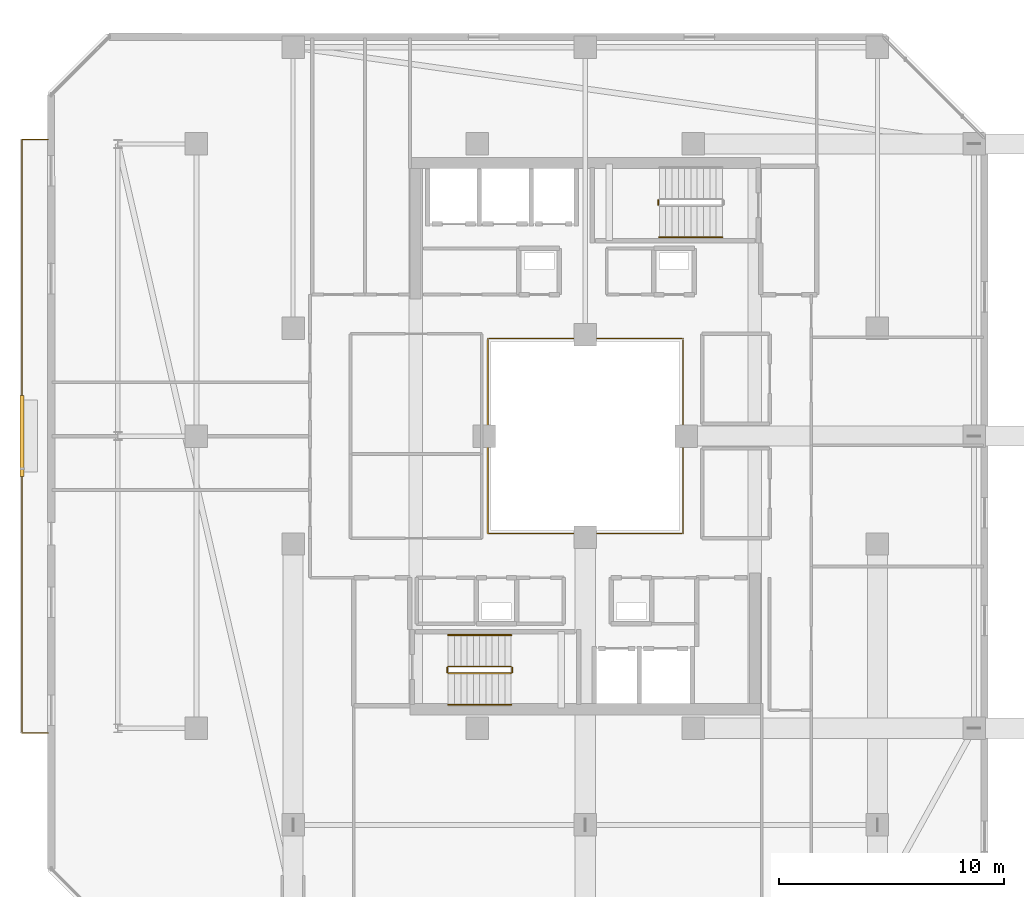
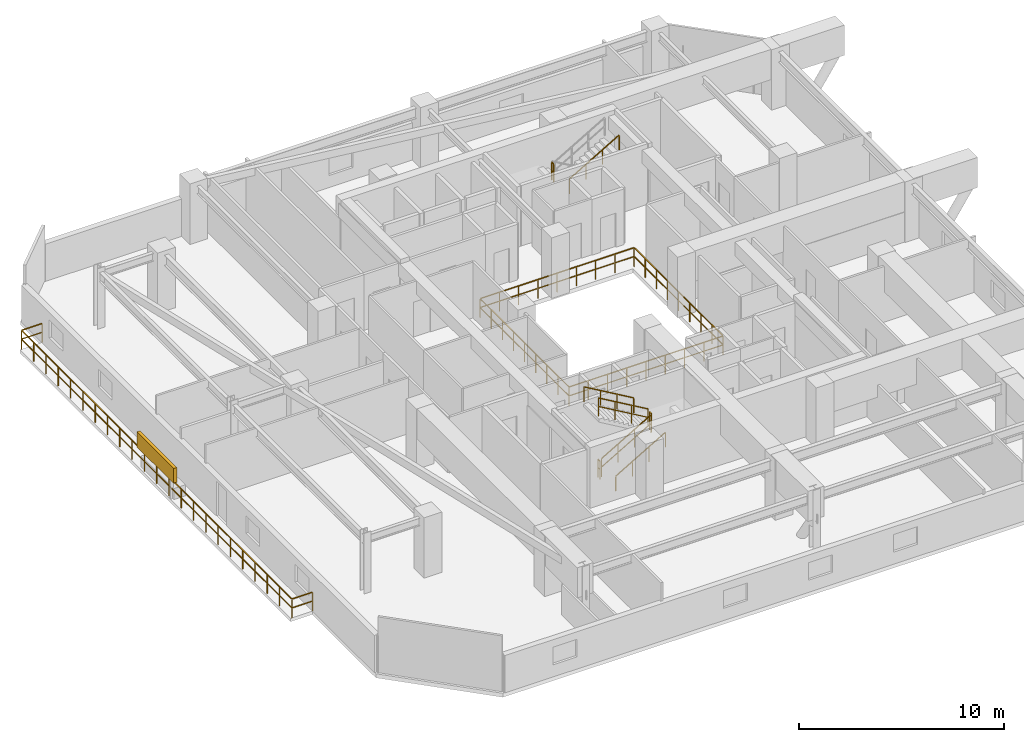
# One storey, part 31 of 34: 10 railings, 1 shading device.
"""IFC4 building model written with IfcOpenShell, lengths in metres."""

from ifc_helpers import new_model, si_unit, direction, frame, origin, origin_2d, place, context, subcontext, project, spatial, rectangle, extrude, material, type_object, element, save


model = new_model("IFC4")

# Units and contexts
model_context = context("Model", 3, precision=1e-05, world=origin(), true_north=direction((0.0, 1.0)))
body_context = subcontext(model_context, "Body", "Model", "MODEL_VIEW")
ifc_project = project(units=[si_unit("LENGTHUNIT", "METRE"), si_unit("AREAUNIT", "SQUARE_METRE"), si_unit("VOLUMEUNIT", "CUBIC_METRE"), si_unit("PLANEANGLEUNIT", "RADIAN"), si_unit("MASSUNIT", "GRAM", prefix="KILO")], contexts=[model_context])

# Site, building, storey
site_placement = place(None, origin())
site = spatial("IfcSite", under=ifc_project, at=site_placement, CompositionType="ELEMENT")
building_placement = place(site_placement, origin())
building = spatial("IfcBuilding", under=site, at=building_placement, Name="Thornwick Lancets Civic Towers", CompositionType="ELEMENT")
storey_placement = place(building_placement, frame((0.0, 0.0, 251.10009765625)))
storey = spatial("IfcBuildingStorey", under=building, at=storey_placement, Name="L67", CompositionType="ELEMENT", Elevation=251.10009765625)

# Railings
ifc_material_1 = material(Name="Laminated glass and bronze steel S355", Category="steel")
railing_type_1 = type_object("IfcRailingType", Name="RAIL_ATRIUM_GUARD", PredefinedType="BALUSTRADE", material=ifc_material_1)
railing_1_placement = place(storey_placement, frame((21.159912109375, 22.659912109375, 0.0)))
element("IfcRailing", 1, at=railing_1_placement, inside=storey, type_object=railing_type_1, Name="L67 Tower A Central Atrium Guard Balustrade", PredefinedType="BALUSTRADE", context=body_context, shape_type="SweptSolid", body=[
    extrude(rectangle(XDim=0.048095703125, YDim=0.048095703125, at=origin_2d()), frame((0.0, 0.0, 1.1259765625), z_axis=(1.0, 0.0, 0.0), x_axis=(0.0, 1.0, 0.0)), (0.0, 0.0, 1.0), 8.64892578125),
    extrude(rectangle(XDim=0.0419921875, YDim=0.0419921875, at=origin_2d()), frame((0.03759765625, 0.0, 0.597900390625), z_axis=(1.0, 0.0, 0.0), x_axis=(0.0, 1.0, 0.0)), (0.0, 0.0, 1.0), 1.010009765625),
    extrude(rectangle(XDim=0.0419921875, YDim=0.0419921875, at=origin_2d()), frame((1.12255859375, 0.0, 0.597900390625), z_axis=(1.0, 0.0, 0.0), x_axis=(0.0, 1.0, 0.0)), (0.0, 0.0, 1.0), 1.010009765625),
    extrude(rectangle(XDim=0.0419921875, YDim=0.0419921875, at=origin_2d()), frame((2.20751953125, 0.0, 0.597900390625), z_axis=(1.0, 0.0, 0.0), x_axis=(0.0, 1.0, 0.0)), (0.0, 0.0, 1.0), 1.010009765625),
    extrude(rectangle(XDim=0.0419921875, YDim=0.0419921875, at=origin_2d()), frame((3.29248046875, 0.0, 0.597900390625), z_axis=(1.0, 0.0, 0.0), x_axis=(0.0, 1.0, 0.0)), (0.0, 0.0, 1.0), 1.010009765625),
    extrude(rectangle(XDim=0.0419921875, YDim=0.0419921875, at=origin_2d()), frame((4.377685546875, 0.0, 0.597900390625), z_axis=(1.0, 0.0, 0.0), x_axis=(0.0, 1.0, 0.0)), (0.0, 0.0, 1.0), 1.010009765625),
    extrude(rectangle(XDim=0.0419921875, YDim=0.0419921875, at=origin_2d()), frame((5.462646484375, 0.0, 0.597900390625), z_axis=(1.0, 0.0, 0.0), x_axis=(0.0, 1.0, 0.0)), (0.0, 0.0, 1.0), 1.010009765625),
    extrude(rectangle(XDim=0.0419921875, YDim=0.0419921875, at=origin_2d()), frame((6.547607421875, 0.0, 0.597900390625), z_axis=(1.0, 0.0, 0.0), x_axis=(0.0, 1.0, 0.0)), (0.0, 0.0, 1.0), 1.010009765625),
    extrude(rectangle(XDim=0.0419921875, YDim=0.0419921875, at=origin_2d()), frame((7.632568359375, 0.0, 0.597900390625), z_axis=(1.0, 0.0, 0.0), x_axis=(0.0, 1.0, 0.0)), (0.0, 0.0, 1.0), 1.010009765625),
    extrude(rectangle(XDim=0.048095703125, YDim=0.048095703125, at=origin_2d()), frame((8.68017578125, 0.03125, 1.1259765625), z_axis=(0.0, 1.0, 0.0), x_axis=(-1.0, 0.0, 0.0)), (0.0, 0.0, 1.0), 8.61767578125),
    extrude(rectangle(XDim=0.0419921875, YDim=0.0419921875, at=origin_2d()), frame((8.68017578125, 0.03759765625, 0.597900390625), z_axis=(0.0, 1.0, 0.0), x_axis=(-1.0, 0.0, 0.0)), (0.0, 0.0, 1.0), 1.010009765625),
    extrude(rectangle(XDim=0.0419921875, YDim=0.0419921875, at=origin_2d()), frame((8.68017578125, 1.12255859375, 0.597900390625), z_axis=(0.0, 1.0, 0.0), x_axis=(-1.0, 0.0, 0.0)), (0.0, 0.0, 1.0), 1.010009765625),
    extrude(rectangle(XDim=0.0419921875, YDim=0.0419921875, at=origin_2d()), frame((8.68017578125, 2.20751953125, 0.597900390625), z_axis=(0.0, 1.0, 0.0), x_axis=(-1.0, 0.0, 0.0)), (0.0, 0.0, 1.0), 1.010009765625),
    extrude(rectangle(XDim=0.0419921875, YDim=0.0419921875, at=origin_2d()), frame((8.68017578125, 3.29248046875, 0.597900390625), z_axis=(0.0, 1.0, 0.0), x_axis=(-1.0, 0.0, 0.0)), (0.0, 0.0, 1.0), 1.010009765625),
    extrude(rectangle(XDim=0.0419921875, YDim=0.0419921875, at=origin_2d()), frame((8.68017578125, 4.377685546875, 0.597900390625), z_axis=(0.0, 1.0, 0.0), x_axis=(-1.0, 0.0, 0.0)), (0.0, 0.0, 1.0), 1.010009765625),
    extrude(rectangle(XDim=0.0419921875, YDim=0.0419921875, at=origin_2d()), frame((8.68017578125, 5.462646484375, 0.597900390625), z_axis=(0.0, 1.0, 0.0), x_axis=(-1.0, 0.0, 0.0)), (0.0, 0.0, 1.0), 1.010009765625),
    extrude(rectangle(XDim=0.0419921875, YDim=0.0419921875, at=origin_2d()), frame((8.68017578125, 6.547607421875, 0.597900390625), z_axis=(0.0, 1.0, 0.0), x_axis=(-1.0, 0.0, 0.0)), (0.0, 0.0, 1.0), 1.010009765625),
    extrude(rectangle(XDim=0.0419921875, YDim=0.0419921875, at=origin_2d()), frame((8.68017578125, 7.632568359375, 0.597900390625), z_axis=(0.0, 1.0, 0.0), x_axis=(-1.0, 0.0, 0.0)), (0.0, 0.0, 1.0), 1.010009765625),
    extrude(rectangle(XDim=0.048095703125, YDim=0.048095703125, at=origin_2d()), frame((8.64892578125, 8.68017578125, 1.1259765625), z_axis=(-1.0, 0.0, 0.0), x_axis=(0.0, -1.0, 0.0)), (0.0, 0.0, 1.0), 8.61767578125),
    extrude(rectangle(XDim=0.0419921875, YDim=0.0419921875, at=origin_2d()), frame((8.642578125, 8.68017578125, 0.597900390625), z_axis=(-1.0, 0.0, 0.0), x_axis=(0.0, -1.0, 0.0)), (0.0, 0.0, 1.0), 1.010009765625),
    extrude(rectangle(XDim=0.0419921875, YDim=0.0419921875, at=origin_2d()), frame((7.5576171875, 8.68017578125, 0.597900390625), z_axis=(-1.0, 0.0, 0.0), x_axis=(0.0, -1.0, 0.0)), (0.0, 0.0, 1.0), 1.010009765625),
    extrude(rectangle(XDim=0.0419921875, YDim=0.0419921875, at=origin_2d()), frame((6.47265625, 8.68017578125, 0.597900390625), z_axis=(-1.0, 0.0, 0.0), x_axis=(0.0, -1.0, 0.0)), (0.0, 0.0, 1.0), 1.010009765625),
    extrude(rectangle(XDim=0.0419921875, YDim=0.0419921875, at=origin_2d()), frame((5.3876953125, 8.68017578125, 0.597900390625), z_axis=(-1.0, 0.0, 0.0), x_axis=(0.0, -1.0, 0.0)), (0.0, 0.0, 1.0), 1.010009765625),
    extrude(rectangle(XDim=0.0419921875, YDim=0.0419921875, at=origin_2d()), frame((4.302490234375, 8.68017578125, 0.597900390625), z_axis=(-1.0, 0.0, 0.0), x_axis=(0.0, -1.0, 0.0)), (0.0, 0.0, 1.0), 1.010009765625),
    extrude(rectangle(XDim=0.0419921875, YDim=0.0419921875, at=origin_2d()), frame((3.217529296875, 8.68017578125, 0.597900390625), z_axis=(-1.0, 0.0, 0.0), x_axis=(0.0, -1.0, 0.0)), (0.0, 0.0, 1.0), 1.010009765625),
    extrude(rectangle(XDim=0.0419921875, YDim=0.0419921875, at=origin_2d()), frame((2.132568359375, 8.68017578125, 0.597900390625), z_axis=(-1.0, 0.0, 0.0), x_axis=(0.0, -1.0, 0.0)), (0.0, 0.0, 1.0), 1.010009765625),
    extrude(rectangle(XDim=0.0419921875, YDim=0.0419921875, at=origin_2d()), frame((1.047607421875, 8.68017578125, 0.597900390625), z_axis=(-1.0, 0.0, 0.0), x_axis=(0.0, -1.0, 0.0)), (0.0, 0.0, 1.0), 1.010009765625),
    extrude(rectangle(XDim=0.048095703125, YDim=0.048095703125, at=origin_2d()), frame((0.0, 8.64892578125, 1.1259765625), z_axis=(0.0, -1.0, 0.0), x_axis=(1.0, 0.0, 0.0)), (0.0, 0.0, 1.0), 8.64892578125),
    extrude(rectangle(XDim=0.0419921875, YDim=0.0419921875, at=origin_2d()), frame((0.0, 8.642578125, 0.597900390625), z_axis=(0.0, -1.0, 0.0), x_axis=(1.0, 0.0, 0.0)), (0.0, 0.0, 1.0), 1.010009765625),
    extrude(rectangle(XDim=0.0419921875, YDim=0.0419921875, at=origin_2d()), frame((0.0, 7.5576171875, 0.597900390625), z_axis=(0.0, -1.0, 0.0), x_axis=(1.0, 0.0, 0.0)), (0.0, 0.0, 1.0), 1.010009765625),
    extrude(rectangle(XDim=0.0419921875, YDim=0.0419921875, at=origin_2d()), frame((0.0, 6.47265625, 0.597900390625), z_axis=(0.0, -1.0, 0.0), x_axis=(1.0, 0.0, 0.0)), (0.0, 0.0, 1.0), 1.010009765625),
    extrude(rectangle(XDim=0.0419921875, YDim=0.0419921875, at=origin_2d()), frame((0.0, 5.3876953125, 0.597900390625), z_axis=(0.0, -1.0, 0.0), x_axis=(1.0, 0.0, 0.0)), (0.0, 0.0, 1.0), 1.010009765625),
    extrude(rectangle(XDim=0.0419921875, YDim=0.0419921875, at=origin_2d()), frame((0.0, 4.302490234375, 0.597900390625), z_axis=(0.0, -1.0, 0.0), x_axis=(1.0, 0.0, 0.0)), (0.0, 0.0, 1.0), 1.010009765625),
    extrude(rectangle(XDim=0.0419921875, YDim=0.0419921875, at=origin_2d()), frame((0.0, 3.217529296875, 0.597900390625), z_axis=(0.0, -1.0, 0.0), x_axis=(1.0, 0.0, 0.0)), (0.0, 0.0, 1.0), 1.010009765625),
    extrude(rectangle(XDim=0.0419921875, YDim=0.0419921875, at=origin_2d()), frame((0.0, 2.132568359375, 0.597900390625), z_axis=(0.0, -1.0, 0.0), x_axis=(1.0, 0.0, 0.0)), (0.0, 0.0, 1.0), 1.010009765625),
    extrude(rectangle(XDim=0.0419921875, YDim=0.0419921875, at=origin_2d()), frame((0.0, 1.047607421875, 0.597900390625), z_axis=(0.0, -1.0, 0.0), x_axis=(1.0, 0.0, 0.0)), (0.0, 0.0, 1.0), 1.010009765625),
    extrude(rectangle(XDim=0.0419921875, YDim=0.0419921875, at=origin_2d()), origin(), (0.0, 0.0, 1.0), 1.095703125),
    extrude(rectangle(XDim=0.0419921875, YDim=0.0419921875, at=origin_2d()), frame((1.0849609375, 0.0, 0.0)), (0.0, 0.0, 1.0), 1.095703125),
    extrude(rectangle(XDim=0.0419921875, YDim=0.0419921875, at=origin_2d()), frame((2.169921875, 0.0, 0.0)), (0.0, 0.0, 1.0), 1.095703125),
    extrude(rectangle(XDim=0.0419921875, YDim=0.0419921875, at=origin_2d()), frame((3.255126953125, 0.0, 0.0)), (0.0, 0.0, 1.0), 1.095703125),
    extrude(rectangle(XDim=0.0419921875, YDim=0.0419921875, at=origin_2d()), frame((4.340087890625, 0.0, 0.0)), (0.0, 0.0, 1.0), 1.095703125),
    extrude(rectangle(XDim=0.0419921875, YDim=0.0419921875, at=origin_2d()), frame((5.425048828125, 0.0, 0.0)), (0.0, 0.0, 1.0), 1.095703125),
    extrude(rectangle(XDim=0.0419921875, YDim=0.0419921875, at=origin_2d()), frame((6.51025390625, 0.0, 0.0)), (0.0, 0.0, 1.0), 1.095703125),
    extrude(rectangle(XDim=0.0419921875, YDim=0.0419921875, at=origin_2d()), frame((7.59521484375, 0.0, 0.0)), (0.0, 0.0, 1.0), 1.095703125),
    extrude(rectangle(XDim=0.0419921875, YDim=0.0419921875, at=origin_2d()), frame((8.68017578125, 0.0, 0.0)), (0.0, 0.0, 1.0), 1.095703125),
    extrude(rectangle(XDim=0.0419921875, YDim=0.0419921875, at=origin_2d()), frame((8.68017578125, 1.0849609375, 0.0)), (0.0, 0.0, 1.0), 1.095703125),
    extrude(rectangle(XDim=0.0419921875, YDim=0.0419921875, at=origin_2d()), frame((8.68017578125, 2.169921875, 0.0)), (0.0, 0.0, 1.0), 1.095703125),
    extrude(rectangle(XDim=0.0419921875, YDim=0.0419921875, at=origin_2d()), frame((8.68017578125, 3.255126953125, 0.0)), (0.0, 0.0, 1.0), 1.095703125),
    extrude(rectangle(XDim=0.0419921875, YDim=0.0419921875, at=origin_2d()), frame((8.68017578125, 4.340087890625, 0.0)), (0.0, 0.0, 1.0), 1.095703125),
    extrude(rectangle(XDim=0.0419921875, YDim=0.0419921875, at=origin_2d()), frame((8.68017578125, 5.425048828125, 0.0)), (0.0, 0.0, 1.0), 1.095703125),
    extrude(rectangle(XDim=0.0419921875, YDim=0.0419921875, at=origin_2d()), frame((8.68017578125, 6.51025390625, 0.0)), (0.0, 0.0, 1.0), 1.095703125),
    extrude(rectangle(XDim=0.0419921875, YDim=0.0419921875, at=origin_2d()), frame((8.68017578125, 7.59521484375, 0.0)), (0.0, 0.0, 1.0), 1.095703125),
    extrude(rectangle(XDim=0.0419921875, YDim=0.0419921875, at=origin_2d()), frame((8.68017578125, 8.68017578125, 0.0)), (0.0, 0.0, 1.0), 1.095703125),
    extrude(rectangle(XDim=0.0419921875, YDim=0.0419921875, at=origin_2d()), frame((7.59521484375, 8.68017578125, 0.0)), (0.0, 0.0, 1.0), 1.095703125),
    extrude(rectangle(XDim=0.0419921875, YDim=0.0419921875, at=origin_2d()), frame((6.51025390625, 8.68017578125, 0.0)), (0.0, 0.0, 1.0), 1.095703125),
    extrude(rectangle(XDim=0.0419921875, YDim=0.0419921875, at=origin_2d()), frame((5.425048828125, 8.68017578125, 0.0)), (0.0, 0.0, 1.0), 1.095703125),
    extrude(rectangle(XDim=0.0419921875, YDim=0.0419921875, at=origin_2d()), frame((4.340087890625, 8.68017578125, 0.0)), (0.0, 0.0, 1.0), 1.095703125),
    extrude(rectangle(XDim=0.0419921875, YDim=0.0419921875, at=origin_2d()), frame((3.255126953125, 8.68017578125, 0.0)), (0.0, 0.0, 1.0), 1.095703125),
    extrude(rectangle(XDim=0.0419921875, YDim=0.0419921875, at=origin_2d()), frame((2.169921875, 8.68017578125, 0.0)), (0.0, 0.0, 1.0), 1.095703125),
    extrude(rectangle(XDim=0.0419921875, YDim=0.0419921875, at=origin_2d()), frame((1.0849609375, 8.68017578125, 0.0)), (0.0, 0.0, 1.0), 1.095703125),
    extrude(rectangle(XDim=0.0419921875, YDim=0.0419921875, at=origin_2d()), frame((0.0, 8.68017578125, 0.0)), (0.0, 0.0, 1.0), 1.095703125),
    extrude(rectangle(XDim=0.0419921875, YDim=0.0419921875, at=origin_2d()), frame((0.0, 7.59521484375, 0.0)), (0.0, 0.0, 1.0), 1.095703125),
    extrude(rectangle(XDim=0.0419921875, YDim=0.0419921875, at=origin_2d()), frame((0.0, 6.51025390625, 0.0)), (0.0, 0.0, 1.0), 1.095703125),
    extrude(rectangle(XDim=0.0419921875, YDim=0.0419921875, at=origin_2d()), frame((0.0, 5.425048828125, 0.0)), (0.0, 0.0, 1.0), 1.095703125),
    extrude(rectangle(XDim=0.0419921875, YDim=0.0419921875, at=origin_2d()), frame((0.0, 4.340087890625, 0.0)), (0.0, 0.0, 1.0), 1.095703125),
    extrude(rectangle(XDim=0.0419921875, YDim=0.0419921875, at=origin_2d()), frame((0.0, 3.255126953125, 0.0)), (0.0, 0.0, 1.0), 1.095703125),
    extrude(rectangle(XDim=0.0419921875, YDim=0.0419921875, at=origin_2d()), frame((0.0, 2.169921875, 0.0)), (0.0, 0.0, 1.0), 1.095703125),
    extrude(rectangle(XDim=0.0419921875, YDim=0.0419921875, at=origin_2d()), frame((0.0, 1.0849609375, 0.0)), (0.0, 0.0, 1.0), 1.095703125),
])
ifc_material_2 = material(Name="Brushed stainless steel S355", Category="steel")
railing_type_2 = type_object("IfcRailingType", Name="RAIL_HANDRAIL", PredefinedType="HANDRAIL", material=ifc_material_2)
railing_2_placement = place(storey_placement, frame((19.39990234375, 15.050048828125, 0.16357421875)))
element("IfcRailing", 2, at=railing_2_placement, inside=storey, type_object=railing_type_2, Name="L67 ST-A1 stair handrail 1", PredefinedType="HANDRAIL", context=body_context, shape_type="SweptSolid", body=[
    extrude(rectangle(XDim=0.048095703125, YDim=0.048095703125, at=origin_2d()), frame((0.0, 0.0, 0.8857421875), z_axis=(0.863393664356, 0.0, 0.504530851732), x_axis=(0.0, 1.0, 0.0)), (0.0, 0.0, 1.0), 3.2431640625),
    extrude(rectangle(XDim=0.0419921875, YDim=0.0419921875, at=origin_2d()), origin(), (0.0, 0.0, 1.0), 0.855712890625),
    extrude(rectangle(XDim=0.0419921875, YDim=0.0419921875, at=origin_2d()), frame((0.933349609375, 0.0, 0.54541015625)), (0.0, 0.0, 1.0), 0.855712890625),
    extrude(rectangle(XDim=0.0419921875, YDim=0.0419921875, at=origin_2d()), frame((1.86669921875, 0.0, 1.0908203125)), (0.0, 0.0, 1.0), 0.855712890625),
    extrude(rectangle(XDim=0.0419921875, YDim=0.0419921875, at=origin_2d()), frame((2.800048828125, 0.0, 1.63623046875)), (0.0, 0.0, 1.0), 0.855712890625),
])
railing_3_placement = place(storey_placement, frame((22.199951171875, 18.14990234375, 1.963623046875)))
element("IfcRailing", 3, at=railing_3_placement, inside=storey, type_object=railing_type_2, Name="L67 ST-A1 stair handrail 2", PredefinedType="HANDRAIL", context=body_context, shape_type="SweptSolid", body=[
    extrude(rectangle(XDim=0.048095703125, YDim=0.048095703125, at=origin_2d()), frame((0.0, 0.0, 0.8857421875), z_axis=(-0.863393664356, 0.0, 0.504530851732), x_axis=(0.0, -1.0, 0.0)), (0.0, 0.0, 1.0), 3.2431640625),
    extrude(rectangle(XDim=0.0419921875, YDim=0.0419921875, at=origin_2d()), origin(), (0.0, 0.0, 1.0), 0.855712890625),
    extrude(rectangle(XDim=0.0419921875, YDim=0.0419921875, at=origin_2d()), frame((-0.933349609375, 0.0, 0.54541015625)), (0.0, 0.0, 1.0), 0.855712890625),
    extrude(rectangle(XDim=0.0419921875, YDim=0.0419921875, at=origin_2d()), frame((-1.86669921875, 0.0, 1.0908203125)), (0.0, 0.0, 1.0), 0.855712890625),
    extrude(rectangle(XDim=0.0419921875, YDim=0.0419921875, at=origin_2d()), frame((-2.800048828125, 0.0, 1.63623046875)), (0.0, 0.0, 1.0), 0.855712890625),
])
railing_4_placement = place(storey_placement, frame((28.800048828125, 35.85009765625, 1.963623046875)))
element("IfcRailing", 4, at=railing_4_placement, inside=storey, type_object=railing_type_2, Name="L67 ST-A2 stair handrail 2", PredefinedType="HANDRAIL", context=body_context, shape_type="SweptSolid", body=[
    extrude(rectangle(XDim=0.048095703125, YDim=0.048095703125, at=origin_2d()), frame((0.0, 0.0, 0.8857421875), z_axis=(0.863393664356, 0.0, 0.504530851732), x_axis=(0.0, 1.0, 0.0)), (0.0, 0.0, 1.0), 3.2431640625),
    extrude(rectangle(XDim=0.0419921875, YDim=0.0419921875, at=origin_2d()), origin(), (0.0, 0.0, 1.0), 0.855712890625),
    extrude(rectangle(XDim=0.0419921875, YDim=0.0419921875, at=origin_2d()), frame((0.933349609375, 0.0, 0.54541015625)), (0.0, 0.0, 1.0), 0.855712890625),
    extrude(rectangle(XDim=0.0419921875, YDim=0.0419921875, at=origin_2d()), frame((1.86669921875, 0.0, 1.0908203125)), (0.0, 0.0, 1.0), 0.855712890625),
    extrude(rectangle(XDim=0.0419921875, YDim=0.0419921875, at=origin_2d()), frame((2.800048828125, 0.0, 1.63623046875)), (0.0, 0.0, 1.0), 0.855712890625),
])
ifc_material_3 = material(Name="Steel S355JR", Category="steel")
railing_type_3 = type_object("IfcRailingType", Name="RAIL_STAIR_GUARD", PredefinedType="GUARDRAIL", material=ifc_material_3)
railing_5_placement = place(storey_placement, frame((19.39990234375, 16.449951171875, 0.16357421875)))
element("IfcRailing", 5, at=railing_5_placement, inside=storey, type_object=railing_type_3, Name="L67 ST-A1 stair guard 1", PredefinedType="GUARDRAIL", context=body_context, shape_type="SweptSolid", body=[
    extrude(rectangle(XDim=0.048095703125, YDim=0.048095703125, at=origin_2d()), frame((0.0, 0.0, 1.076171875), z_axis=(0.863393664356, 0.0, 0.504530851732), x_axis=(0.0, 1.0, 0.0)), (0.0, 0.0, 1.0), 3.2431640625),
    extrude(rectangle(XDim=0.0419921875, YDim=0.0419921875, at=origin_2d()), frame((0.032470703125, 0.0, 0.591064453125), z_axis=(0.863393664356, 0.0, 0.504530851732), x_axis=(0.0, 1.0, 0.0)), (0.0, 0.0, 1.0), 1.006103515625),
    extrude(rectangle(XDim=0.0419921875, YDim=0.0419921875, at=origin_2d()), frame((0.9658203125, 0.0, 1.136474609375), z_axis=(0.863393664356, 0.0, 0.504530851732), x_axis=(0.0, 1.0, 0.0)), (0.0, 0.0, 1.0), 1.006103515625),
    extrude(rectangle(XDim=0.0419921875, YDim=0.0419921875, at=origin_2d()), frame((1.899169921875, 0.0, 1.681884765625), z_axis=(0.863393664356, 0.0, 0.504530851732), x_axis=(0.0, 1.0, 0.0)), (0.0, 0.0, 1.0), 1.006103515625),
    extrude(rectangle(XDim=0.0419921875, YDim=0.0419921875, at=origin_2d()), origin(), (0.0, 0.0, 1.0), 1.0458984375),
    extrude(rectangle(XDim=0.0419921875, YDim=0.0419921875, at=origin_2d()), frame((0.933349609375, 0.0, 0.54541015625)), (0.0, 0.0, 1.0), 1.0458984375),
    extrude(rectangle(XDim=0.0419921875, YDim=0.0419921875, at=origin_2d()), frame((1.86669921875, 0.0, 1.0908203125)), (0.0, 0.0, 1.0), 1.0458984375),
    extrude(rectangle(XDim=0.0419921875, YDim=0.0419921875, at=origin_2d()), frame((2.800048828125, 0.0, 1.63623046875)), (0.0, 0.0, 1.0), 1.0458984375),
])
railing_6_placement = place(storey_placement, frame((22.25, 16.5, 1.7998046875)))
element("IfcRailing", 6, at=railing_6_placement, inside=storey, type_object=railing_type_3, Name="L67 ST-A1 stair guard 2", PredefinedType="GUARDRAIL", context=body_context, shape_type="SweptSolid", body=[
    extrude(rectangle(XDim=0.048095703125, YDim=0.048095703125, at=origin_2d()), frame((0.0, 0.0, 1.076171875), z_axis=(0.0, 1.0, 0.0), x_axis=(-1.0, 0.0, 0.0)), (0.0, 0.0, 1.0), 0.199951171875),
    extrude(rectangle(XDim=0.0419921875, YDim=0.0419921875, at=origin_2d()), frame((0.0, 0.03759765625, 0.572021484375), z_axis=(0.0, 1.0, 0.0), x_axis=(-1.0, 0.0, 0.0)), (0.0, 0.0, 1.0), 0.125),
    extrude(rectangle(XDim=0.0419921875, YDim=0.0419921875, at=origin_2d()), origin(), (0.0, 0.0, 1.0), 1.0458984375),
    extrude(rectangle(XDim=0.0419921875, YDim=0.0419921875, at=origin_2d()), frame((0.0, 0.199951171875, 0.0)), (0.0, 0.0, 1.0), 1.0458984375),
])
railing_7_placement = place(storey_placement, frame((22.199951171875, 16.75, 1.963623046875)))
element("IfcRailing", 7, at=railing_7_placement, inside=storey, type_object=railing_type_3, Name="L67 ST-A1 stair guard 3", PredefinedType="GUARDRAIL", context=body_context, shape_type="SweptSolid", body=[
    extrude(rectangle(XDim=0.048095703125, YDim=0.048095703125, at=origin_2d()), frame((0.0, 0.0, 1.076171875), z_axis=(-0.863393664356, 0.0, 0.504530851732), x_axis=(0.0, -1.0, 0.0)), (0.0, 0.0, 1.0), 3.2431640625),
    extrude(rectangle(XDim=0.0419921875, YDim=0.0419921875, at=origin_2d()), frame((-0.032470703125, 0.0, 0.591064453125), z_axis=(-0.863393664356, 0.0, 0.504530851732), x_axis=(0.0, -1.0, 0.0)), (0.0, 0.0, 1.0), 1.006103515625),
    extrude(rectangle(XDim=0.0419921875, YDim=0.0419921875, at=origin_2d()), frame((-0.9658203125, 0.0, 1.136474609375), z_axis=(-0.863393664356, 0.0, 0.504530851732), x_axis=(0.0, -1.0, 0.0)), (0.0, 0.0, 1.0), 1.006103515625),
    extrude(rectangle(XDim=0.0419921875, YDim=0.0419921875, at=origin_2d()), frame((-1.899169921875, 0.0, 1.681884765625), z_axis=(-0.863393664356, 0.0, 0.504530851732), x_axis=(0.0, -1.0, 0.0)), (0.0, 0.0, 1.0), 1.006103515625),
    extrude(rectangle(XDim=0.0419921875, YDim=0.0419921875, at=origin_2d()), origin(), (0.0, 0.0, 1.0), 1.0458984375),
    extrude(rectangle(XDim=0.0419921875, YDim=0.0419921875, at=origin_2d()), frame((-0.933349609375, 0.0, 0.54541015625)), (0.0, 0.0, 1.0), 1.0458984375),
    extrude(rectangle(XDim=0.0419921875, YDim=0.0419921875, at=origin_2d()), frame((-1.86669921875, 0.0, 1.0908203125)), (0.0, 0.0, 1.0), 1.0458984375),
    extrude(rectangle(XDim=0.0419921875, YDim=0.0419921875, at=origin_2d()), frame((-2.800048828125, 0.0, 1.63623046875)), (0.0, 0.0, 1.0), 1.0458984375),
])
railing_8_placement = place(storey_placement, frame((19.35009765625, 16.5, 0.0)))
element("IfcRailing", 8, at=railing_8_placement, inside=storey, type_object=railing_type_3, Name="L67 ST-A1 stair guard 4", PredefinedType="GUARDRAIL", context=body_context, shape_type="SweptSolid", body=[
    extrude(rectangle(XDim=0.048095703125, YDim=0.048095703125, at=origin_2d()), frame((0.0, 0.0, 1.076171875), z_axis=(0.0, 1.0, 0.0), x_axis=(-1.0, 0.0, 0.0)), (0.0, 0.0, 1.0), 0.199951171875),
    extrude(rectangle(XDim=0.0419921875, YDim=0.0419921875, at=origin_2d()), frame((0.0, 0.03759765625, 0.572021484375), z_axis=(0.0, 1.0, 0.0), x_axis=(-1.0, 0.0, 0.0)), (0.0, 0.0, 1.0), 0.125),
    extrude(rectangle(XDim=0.0419921875, YDim=0.0419921875, at=origin_2d()), origin(), (0.0, 0.0, 1.0), 1.0458984375),
    extrude(rectangle(XDim=0.0419921875, YDim=0.0419921875, at=origin_2d()), frame((0.0, 0.199951171875, 0.0)), (0.0, 0.0, 1.0), 1.0458984375),
])
railing_9_placement = place(storey_placement, frame((28.75, 37.5, 1.7998046875)))
element("IfcRailing", 9, at=railing_9_placement, inside=storey, type_object=railing_type_3, Name="L67 ST-A2 stair guard 2", PredefinedType="GUARDRAIL", context=body_context, shape_type="SweptSolid", body=[
    extrude(rectangle(XDim=0.048095703125, YDim=0.048095703125, at=origin_2d()), frame((0.0, 0.0, 1.076171875), z_axis=(0.0, -1.0, 0.0), x_axis=(1.0, 0.0, 0.0)), (0.0, 0.0, 1.0), 0.199951171875),
    extrude(rectangle(XDim=0.0419921875, YDim=0.0419921875, at=origin_2d()), frame((0.0, -0.03759765625, 0.572021484375), z_axis=(0.0, -1.0, 0.0), x_axis=(1.0, 0.0, 0.0)), (0.0, 0.0, 1.0), 0.125),
    extrude(rectangle(XDim=0.0419921875, YDim=0.0419921875, at=origin_2d()), origin(), (0.0, 0.0, 1.0), 1.0458984375),
    extrude(rectangle(XDim=0.0419921875, YDim=0.0419921875, at=origin_2d()), frame((0.0, -0.199951171875, 0.0)), (0.0, 0.0, 1.0), 1.0458984375),
])
ifc_material_4 = material(Name="Terracotta-capped laminated glass balustrade S355", Category="masonry")
railing_type_4 = type_object("IfcRailingType", Name="RAIL_TERR_GUARD", PredefinedType="GUARDRAIL", material=ifc_material_4)
railing_10_placement = place(storey_placement, frame((1.60009765625, 13.800048828125, 0.0)))
element("IfcRailing", 10, at=railing_10_placement, inside=storey, type_object=railing_type_4, Name="L67 Tower A Balcony Guard W", PredefinedType="GUARDRAIL", context=body_context, shape_type="SweptSolid", body=[
    extrude(rectangle(XDim=0.048095703125, YDim=0.048095703125, at=origin_2d()), frame((0.0, 0.0, 1.1259765625), z_axis=(-1.0, 0.0, 0.0), x_axis=(0.0, -1.0, 0.0)), (0.0, 0.0, 1.0), 1.138916015625),
    extrude(rectangle(XDim=0.0419921875, YDim=0.0419921875, at=origin_2d()), frame((-0.03759765625, 0.0, 0.597900390625), z_axis=(-1.0, 0.0, 0.0), x_axis=(0.0, -1.0, 0.0)), (0.0, 0.0, 1.0), 1.09521484375),
    extrude(rectangle(XDim=0.048095703125, YDim=0.048095703125, at=origin_2d()), frame((-1.170166015625, 0.03125, 1.1259765625), z_axis=(0.0, 1.0, 0.0), x_axis=(-1.0, 0.0, 0.0)), (0.0, 0.0, 1.0), 26.33740234375),
    extrude(rectangle(XDim=0.0419921875, YDim=0.0419921875, at=origin_2d()), frame((-1.170166015625, 0.03759765625, 0.597900390625), z_axis=(0.0, 1.0, 0.0), x_axis=(-1.0, 0.0, 0.0)), (0.0, 0.0, 1.0), 1.125),
    extrude(rectangle(XDim=0.0419921875, YDim=0.0419921875, at=origin_2d()), frame((-1.170166015625, 1.237548828125, 0.597900390625), z_axis=(0.0, 1.0, 0.0), x_axis=(-1.0, 0.0, 0.0)), (0.0, 0.0, 1.0), 1.125),
    extrude(rectangle(XDim=0.0419921875, YDim=0.0419921875, at=origin_2d()), frame((-1.170166015625, 2.4375, 0.597900390625), z_axis=(0.0, 1.0, 0.0), x_axis=(-1.0, 0.0, 0.0)), (0.0, 0.0, 1.0), 1.125),
    extrude(rectangle(XDim=0.0419921875, YDim=0.0419921875, at=origin_2d()), frame((-1.170166015625, 3.637451171875, 0.597900390625), z_axis=(0.0, 1.0, 0.0), x_axis=(-1.0, 0.0, 0.0)), (0.0, 0.0, 1.0), 1.125),
    extrude(rectangle(XDim=0.0419921875, YDim=0.0419921875, at=origin_2d()), frame((-1.170166015625, 4.83740234375, 0.597900390625), z_axis=(0.0, 1.0, 0.0), x_axis=(-1.0, 0.0, 0.0)), (0.0, 0.0, 1.0), 1.125),
    extrude(rectangle(XDim=0.0419921875, YDim=0.0419921875, at=origin_2d()), frame((-1.170166015625, 6.037353515625, 0.597900390625), z_axis=(0.0, 1.0, 0.0), x_axis=(-1.0, 0.0, 0.0)), (0.0, 0.0, 1.0), 1.125),
    extrude(rectangle(XDim=0.0419921875, YDim=0.0419921875, at=origin_2d()), frame((-1.170166015625, 7.237548828125, 0.597900390625), z_axis=(0.0, 1.0, 0.0), x_axis=(-1.0, 0.0, 0.0)), (0.0, 0.0, 1.0), 1.125),
    extrude(rectangle(XDim=0.0419921875, YDim=0.0419921875, at=origin_2d()), frame((-1.170166015625, 8.4375, 0.597900390625), z_axis=(0.0, 1.0, 0.0), x_axis=(-1.0, 0.0, 0.0)), (0.0, 0.0, 1.0), 1.125),
    extrude(rectangle(XDim=0.0419921875, YDim=0.0419921875, at=origin_2d()), frame((-1.170166015625, 9.637451171875, 0.597900390625), z_axis=(0.0, 1.0, 0.0), x_axis=(-1.0, 0.0, 0.0)), (0.0, 0.0, 1.0), 1.125),
    extrude(rectangle(XDim=0.0419921875, YDim=0.0419921875, at=origin_2d()), frame((-1.170166015625, 10.83740234375, 0.597900390625), z_axis=(0.0, 1.0, 0.0), x_axis=(-1.0, 0.0, 0.0)), (0.0, 0.0, 1.0), 1.125),
    extrude(rectangle(XDim=0.0419921875, YDim=0.0419921875, at=origin_2d()), frame((-1.170166015625, 12.037353515625, 0.597900390625), z_axis=(0.0, 1.0, 0.0), x_axis=(-1.0, 0.0, 0.0)), (0.0, 0.0, 1.0), 1.125),
    extrude(rectangle(XDim=0.0419921875, YDim=0.0419921875, at=origin_2d()), frame((-1.170166015625, 13.237548828125, 0.597900390625), z_axis=(0.0, 1.0, 0.0), x_axis=(-1.0, 0.0, 0.0)), (0.0, 0.0, 1.0), 1.125),
    extrude(rectangle(XDim=0.0419921875, YDim=0.0419921875, at=origin_2d()), frame((-1.170166015625, 14.4375, 0.597900390625), z_axis=(0.0, 1.0, 0.0), x_axis=(-1.0, 0.0, 0.0)), (0.0, 0.0, 1.0), 1.125),
    extrude(rectangle(XDim=0.0419921875, YDim=0.0419921875, at=origin_2d()), frame((-1.170166015625, 15.637451171875, 0.597900390625), z_axis=(0.0, 1.0, 0.0), x_axis=(-1.0, 0.0, 0.0)), (0.0, 0.0, 1.0), 1.125),
    extrude(rectangle(XDim=0.0419921875, YDim=0.0419921875, at=origin_2d()), frame((-1.170166015625, 16.83740234375, 0.597900390625), z_axis=(0.0, 1.0, 0.0), x_axis=(-1.0, 0.0, 0.0)), (0.0, 0.0, 1.0), 1.125),
    extrude(rectangle(XDim=0.0419921875, YDim=0.0419921875, at=origin_2d()), frame((-1.170166015625, 18.037353515625, 0.597900390625), z_axis=(0.0, 1.0, 0.0), x_axis=(-1.0, 0.0, 0.0)), (0.0, 0.0, 1.0), 1.125),
    extrude(rectangle(XDim=0.0419921875, YDim=0.0419921875, at=origin_2d()), frame((-1.170166015625, 19.2373046875, 0.597900390625), z_axis=(0.0, 1.0, 0.0), x_axis=(-1.0, 0.0, 0.0)), (0.0, 0.0, 1.0), 1.125),
    extrude(rectangle(XDim=0.0419921875, YDim=0.0419921875, at=origin_2d()), frame((-1.170166015625, 20.4375, 0.597900390625), z_axis=(0.0, 1.0, 0.0), x_axis=(-1.0, 0.0, 0.0)), (0.0, 0.0, 1.0), 1.125),
    extrude(rectangle(XDim=0.0419921875, YDim=0.0419921875, at=origin_2d()), frame((-1.170166015625, 21.637451171875, 0.597900390625), z_axis=(0.0, 1.0, 0.0), x_axis=(-1.0, 0.0, 0.0)), (0.0, 0.0, 1.0), 1.125),
    extrude(rectangle(XDim=0.0419921875, YDim=0.0419921875, at=origin_2d()), frame((-1.170166015625, 22.83740234375, 0.597900390625), z_axis=(0.0, 1.0, 0.0), x_axis=(-1.0, 0.0, 0.0)), (0.0, 0.0, 1.0), 1.125),
    extrude(rectangle(XDim=0.0419921875, YDim=0.0419921875, at=origin_2d()), frame((-1.170166015625, 24.037353515625, 0.597900390625), z_axis=(0.0, 1.0, 0.0), x_axis=(-1.0, 0.0, 0.0)), (0.0, 0.0, 1.0), 1.125),
    extrude(rectangle(XDim=0.0419921875, YDim=0.0419921875, at=origin_2d()), frame((-1.170166015625, 25.2373046875, 0.597900390625), z_axis=(0.0, 1.0, 0.0), x_axis=(-1.0, 0.0, 0.0)), (0.0, 0.0, 1.0), 1.125),
    extrude(rectangle(XDim=0.048095703125, YDim=0.048095703125, at=origin_2d()), frame((-1.138916015625, 26.39990234375, 1.1259765625), z_axis=(1.0, 0.0, 0.0), x_axis=(0.0, 1.0, 0.0)), (0.0, 0.0, 1.0), 1.138916015625),
    extrude(rectangle(XDim=0.0419921875, YDim=0.0419921875, at=origin_2d()), frame((-1.132568359375, 26.39990234375, 0.597900390625), z_axis=(1.0, 0.0, 0.0), x_axis=(0.0, 1.0, 0.0)), (0.0, 0.0, 1.0), 1.09521484375),
    extrude(rectangle(XDim=0.0419921875, YDim=0.0419921875, at=origin_2d()), origin(), (0.0, 0.0, 1.0), 1.095703125),
    extrude(rectangle(XDim=0.0419921875, YDim=0.0419921875, at=origin_2d()), frame((-1.170166015625, 0.0, 0.0)), (0.0, 0.0, 1.0), 1.095703125),
    extrude(rectangle(XDim=0.0419921875, YDim=0.0419921875, at=origin_2d()), frame((-1.170166015625, 1.199951171875, 0.0)), (0.0, 0.0, 1.0), 1.095703125),
    extrude(rectangle(XDim=0.0419921875, YDim=0.0419921875, at=origin_2d()), frame((-1.170166015625, 2.39990234375, 0.0)), (0.0, 0.0, 1.0), 1.095703125),
    extrude(rectangle(XDim=0.0419921875, YDim=0.0419921875, at=origin_2d()), frame((-1.170166015625, 3.60009765625, 0.0)), (0.0, 0.0, 1.0), 1.095703125),
    extrude(rectangle(XDim=0.0419921875, YDim=0.0419921875, at=origin_2d()), frame((-1.170166015625, 4.800048828125, 0.0)), (0.0, 0.0, 1.0), 1.095703125),
    extrude(rectangle(XDim=0.0419921875, YDim=0.0419921875, at=origin_2d()), frame((-1.170166015625, 6.0, 0.0)), (0.0, 0.0, 1.0), 1.095703125),
    extrude(rectangle(XDim=0.0419921875, YDim=0.0419921875, at=origin_2d()), frame((-1.170166015625, 7.199951171875, 0.0)), (0.0, 0.0, 1.0), 1.095703125),
    extrude(rectangle(XDim=0.0419921875, YDim=0.0419921875, at=origin_2d()), frame((-1.170166015625, 8.39990234375, 0.0)), (0.0, 0.0, 1.0), 1.095703125),
    extrude(rectangle(XDim=0.0419921875, YDim=0.0419921875, at=origin_2d()), frame((-1.170166015625, 9.599853515625, 0.0)), (0.0, 0.0, 1.0), 1.095703125),
    extrude(rectangle(XDim=0.0419921875, YDim=0.0419921875, at=origin_2d()), frame((-1.170166015625, 10.800048828125, 0.0)), (0.0, 0.0, 1.0), 1.095703125),
    extrude(rectangle(XDim=0.0419921875, YDim=0.0419921875, at=origin_2d()), frame((-1.170166015625, 12.0, 0.0)), (0.0, 0.0, 1.0), 1.095703125),
    extrude(rectangle(XDim=0.0419921875, YDim=0.0419921875, at=origin_2d()), frame((-1.170166015625, 13.199951171875, 0.0)), (0.0, 0.0, 1.0), 1.095703125),
    extrude(rectangle(XDim=0.0419921875, YDim=0.0419921875, at=origin_2d()), frame((-1.170166015625, 14.39990234375, 0.0)), (0.0, 0.0, 1.0), 1.095703125),
    extrude(rectangle(XDim=0.0419921875, YDim=0.0419921875, at=origin_2d()), frame((-1.170166015625, 15.599853515625, 0.0)), (0.0, 0.0, 1.0), 1.095703125),
    extrude(rectangle(XDim=0.0419921875, YDim=0.0419921875, at=origin_2d()), frame((-1.170166015625, 16.800048828125, 0.0)), (0.0, 0.0, 1.0), 1.095703125),
    extrude(rectangle(XDim=0.0419921875, YDim=0.0419921875, at=origin_2d()), frame((-1.170166015625, 18.0, 0.0)), (0.0, 0.0, 1.0), 1.095703125),
    extrude(rectangle(XDim=0.0419921875, YDim=0.0419921875, at=origin_2d()), frame((-1.170166015625, 19.199951171875, 0.0)), (0.0, 0.0, 1.0), 1.095703125),
    extrude(rectangle(XDim=0.0419921875, YDim=0.0419921875, at=origin_2d()), frame((-1.170166015625, 20.39990234375, 0.0)), (0.0, 0.0, 1.0), 1.095703125),
    extrude(rectangle(XDim=0.0419921875, YDim=0.0419921875, at=origin_2d()), frame((-1.170166015625, 21.599853515625, 0.0)), (0.0, 0.0, 1.0), 1.095703125),
    extrude(rectangle(XDim=0.0419921875, YDim=0.0419921875, at=origin_2d()), frame((-1.170166015625, 22.7998046875, 0.0)), (0.0, 0.0, 1.0), 1.095703125),
    extrude(rectangle(XDim=0.0419921875, YDim=0.0419921875, at=origin_2d()), frame((-1.170166015625, 24.0, 0.0)), (0.0, 0.0, 1.0), 1.095703125),
    extrude(rectangle(XDim=0.0419921875, YDim=0.0419921875, at=origin_2d()), frame((-1.170166015625, 25.199951171875, 0.0)), (0.0, 0.0, 1.0), 1.095703125),
    extrude(rectangle(XDim=0.0419921875, YDim=0.0419921875, at=origin_2d()), frame((-1.170166015625, 26.39990234375, 0.0)), (0.0, 0.0, 1.0), 1.095703125),
    extrude(rectangle(XDim=0.0419921875, YDim=0.0419921875, at=origin_2d()), frame((0.0, 26.39990234375, 0.0)), (0.0, 0.0, 1.0), 1.095703125),
])

# Shading device
ifc_material_5 = material(Name="Extruded terracotta baguette solar screen", Category="masonry")
shading_device_type = type_object("IfcShadingDeviceType", Name="SHADE_BAGUETTE", PredefinedType="JALOUSIE", material=ifc_material_5)
shading_device_placement = place(storey_placement, frame((0.43994140625, 27.0, 1.119873046875), z_axis=(0.0, 0.0, 1.0), x_axis=(0.0, 1.0, 0.0)))
element("IfcShadingDevice", 11, at=shading_device_placement, inside=storey, type_object=shading_device_type, Name="L67 Tower A Terracotta Baguette Screen W", PredefinedType="JALOUSIE", context=body_context, shape_type="SweptSolid", body=[
    extrude(rectangle(XDim=3.60009765625, YDim=0.179931640625, at=origin_2d()), origin(), (0.0, 0.0, 1.0), 0.89990234375),
])

save(model, "model.ifc")
